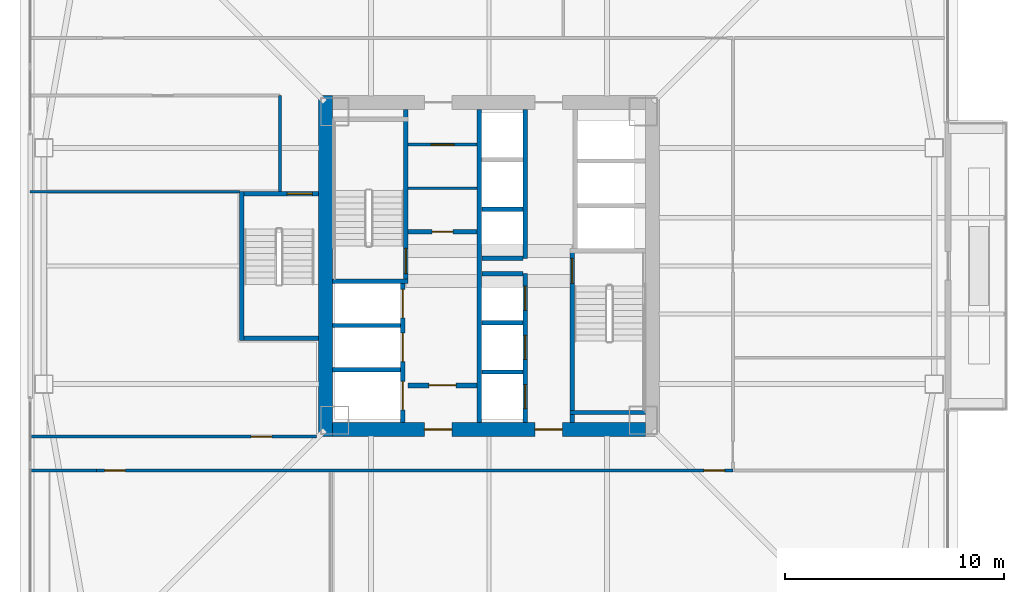
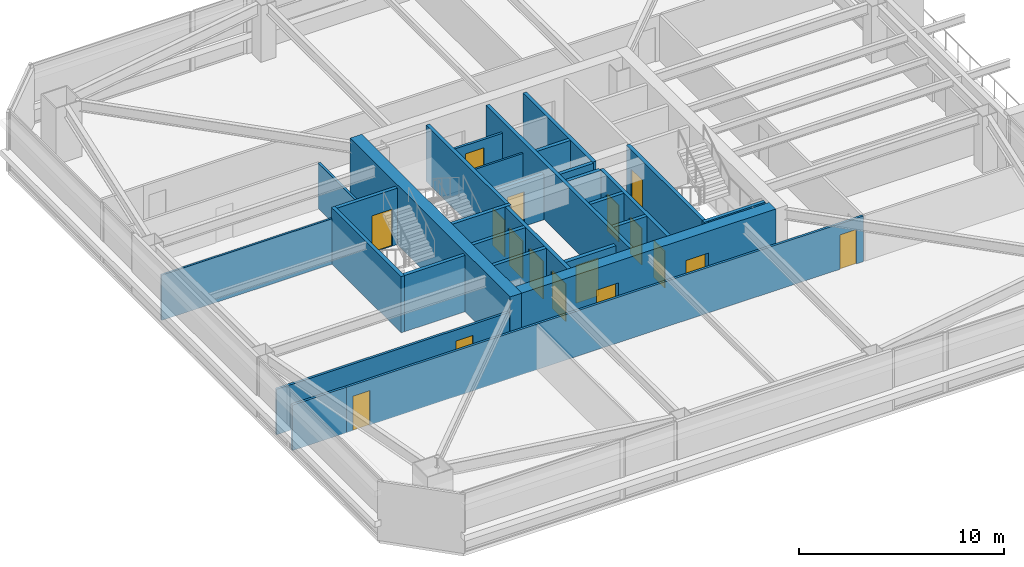
# One storey, part 35 of 46: 29 walls, 17 doors, 17 openings.
"""IFC4 building model written with IfcOpenShell, lengths in metres."""

from ifc_helpers import new_model, si_unit, direction, frame, frame_2d, origin, place, context, subcontext, project, spatial, rectangle, extrude, material, layer, layer_set, type_object, element, fill, save


model = new_model("IFC4")

# Units and contexts
model_context = context("Model", 3, precision=1e-05, world=origin(), true_north=direction((0.0, 1.0)))
body_context = subcontext(model_context, "Body", "Model", "MODEL_VIEW")
ifc_project = project(units=[si_unit("LENGTHUNIT", "METRE"), si_unit("AREAUNIT", "SQUARE_METRE"), si_unit("VOLUMEUNIT", "CUBIC_METRE"), si_unit("PLANEANGLEUNIT", "RADIAN"), si_unit("MASSUNIT", "GRAM", prefix="KILO")], contexts=[model_context])

# Site, building, storey
site_placement = place(None, origin())
site = spatial("IfcSite", under=ifc_project, at=site_placement, CompositionType="ELEMENT")
building_placement = place(site_placement, origin())
building = spatial("IfcBuilding", under=site, at=building_placement, Name="Tashvorn Skyway Center", CompositionType="ELEMENT")
storey_placement = place(building_placement, frame((0.0, 0.0, 99.14990234375)))
storey = spatial("IfcBuildingStorey", under=building, at=storey_placement, Name="L26", CompositionType="ELEMENT", Elevation=99.14990234375)

# Wall
ifc_material_1 = material(Name="Concrete C60/75", Category="concrete")
ifc_layer_1 = layer(ifc_material_1, 0.64990234375)
ifc_layer_set_1 = layer_set([ifc_layer_1], Name="Concrete C60/75")
wall_type_1 = type_object("IfcWallType", Name="WALL-CORE-650", PredefinedType="SHEAR", material=ifc_layer_set_1)
wall_1_placement = place(storey_placement, frame((34.52490234375, 24.199951171875, 0.0), z_axis=(0.0, 0.0, 1.0), x_axis=(0.0, 1.0, 0.0)))
element("IfcWall", 1, at=wall_1_placement, inside=storey, type_object=wall_type_1, Name="Tower 1 L26 West Core Shear Wall", PredefinedType="SHEAR", context=body_context, shape_type="SweptSolid", body=[
    extrude(rectangle(XDim=15.60009765625, YDim=0.64990234375, at=frame_2d((7.800048828125, 0.0))), origin(), (0.0, 0.0, 1.0), 3.550048828125),
])

# Wall, openings, doors
wall_2_placement = place(storey_placement, frame((49.14990234375, 24.52490234375, 0.0), z_axis=(0.0, 0.0, 1.0), x_axis=(-1.0, 0.0, 0.0)))
wall_2 = element("IfcWall", 2, at=wall_2_placement, inside=storey, type_object=wall_type_1, Name="Tower 1 L26 South Core Shear Wall", PredefinedType="SHEAR", context=body_context, shape_type="SweptSolid", body=[
    extrude(rectangle(XDim=14.2998046875, YDim=0.64990234375, at=frame_2d((7.14990234375, 0.0))), origin(), (0.0, 0.0, 1.0), 3.550048828125),
])
opening_1_placement = place(wall_2_placement, frame((8.85009765625, 0.0, 0.0)))
opening_1 = element("IfcOpeningElement", 3, at=opening_1_placement, cuts=wall_2, Name="Opening D-FFL-1250", PredefinedType="OPENING", context=body_context, shape_type="SweptSolid", body=[
    extrude(rectangle(XDim=1.25, YDim=2.25, at=frame_2d((0.625, 1.125))), frame((0.0, 0.3349609375, 0.0), z_axis=(0.0, -1.0, 0.0), x_axis=(1.0, 0.0, 0.0)), (0.0, 0.0, 1.0), 0.669921875),
])
opening_2_placement = place(wall_2_placement, frame((3.800048828125, 0.0, 0.0)))
opening_2 = element("IfcOpeningElement", 4, at=opening_2_placement, cuts=wall_2, Name="Opening D-FFL-1250", PredefinedType="OPENING", context=body_context, shape_type="SweptSolid", body=[
    extrude(rectangle(XDim=1.25, YDim=2.25, at=frame_2d((0.625, 1.125))), frame((0.0, 0.3349609375, 0.0), z_axis=(0.0, -1.0, 0.0), x_axis=(1.0, 0.0, 0.0)), (0.0, 0.0, 1.0), 0.669921875),
])
ifc_material_2 = material(Name="Hollow galvanized steel fire door assembly", Category="steel")
door_type_1 = type_object("IfcDoorType", Name="DOOR-FFL-1250", OperationType="NOTDEFINED", PredefinedType="DOOR", material=ifc_material_2)
door_1_placement = place(opening_1_placement, origin())
door_1 = element("IfcDoor", 5, at=door_1_placement, inside=storey, type_object=door_type_1, Name="Tower 1 L26 Core South Firefighting Exit Door", OperationType="SINGLE_SWING_LEFT", OverallHeight=2.25, OverallWidth=1.25, PredefinedType="DOOR", context=body_context, shape_type="SweptSolid", body=[
    extrude(rectangle(XDim=1.25, YDim=2.25, at=frame_2d((0.625, 1.125))), frame((0.0, 0.02490234375, 0.0), z_axis=(0.0, -1.0, 0.0), x_axis=(1.0, 0.0, 0.0)), (0.0, 0.0, 1.0), 0.050048828125),
])
fill(opening_1, door_1)
door_2_placement = place(opening_2_placement, origin())
door_2 = element("IfcDoor", 6, at=door_2_placement, inside=storey, type_object=door_type_1, Name="Tower 1 L26 Core South Lift Lobby Door", OperationType="SINGLE_SWING_RIGHT", OverallHeight=2.25, OverallWidth=1.25, PredefinedType="DOOR", context=body_context, shape_type="SweptSolid", body=[
    extrude(rectangle(XDim=1.25, YDim=2.25, at=frame_2d((0.625, 1.125))), frame((0.0, 0.02490234375, 0.0), z_axis=(0.0, -1.0, 0.0), x_axis=(1.0, 0.0, 0.0)), (0.0, 0.0, 1.0), 0.050048828125),
])
fill(opening_2, door_2)

# Wall, opening, door
ifc_material_3 = material(Name="Concrete C40/50", Category="concrete")
ifc_layer_2 = layer(ifc_material_3, 0.219970703125)
ifc_layer_set_2 = layer_set([ifc_layer_2], Name="Concrete C40/50")
wall_type_2 = type_object("IfcWallType", Name="WALL-FFL-220", PredefinedType="SOLIDWALL", material=ifc_layer_set_2)
wall_3_placement = place(storey_placement, frame((38.300048828125, 33.56005859375, 0.0), z_axis=(0.0, 0.0, 1.0), x_axis=(1.0, 0.0, 0.0)))
wall_3 = element("IfcWall", 7, at=wall_3_placement, inside=storey, type_object=wall_type_2, Name="Tower 1 L26 Firefighting Lobby North Wall", PredefinedType="SOLIDWALL", context=body_context, shape_type="SweptSolid", body=[
    extrude(rectangle(XDim=3.14990234375, YDim=0.219970703125, at=frame_2d((1.574951171875, 0.0))), origin(), (0.0, 0.0, 1.0), 2.703125),
])
opening_3_placement = place(wall_3_placement, frame((1.10009765625, 0.0, 0.0)))
opening_3 = element("IfcOpeningElement", 8, at=opening_3_placement, cuts=wall_3, Name="Opening D-RT-950", PredefinedType="OPENING", context=body_context, shape_type="SweptSolid", body=[
    extrude(rectangle(XDim=0.949951171875, YDim=2.050048828125, at=frame_2d((0.47509765625, 1.02490234375))), frame((0.0, 0.119873046875, 0.0), z_axis=(0.0, -1.0, 0.0), x_axis=(1.0, 0.0, 0.0)), (0.0, 0.0, 1.0), 0.239990234375),
])
door_type_2 = type_object("IfcDoorType", Name="DOOR-RATED-950", OperationType="NOTDEFINED", PredefinedType="DOOR", material=ifc_material_2)
door_3_placement = place(opening_3_placement, origin())
door_3 = element("IfcDoor", 9, at=door_3_placement, inside=storey, type_object=door_type_2, Name="Tower 1 L26 Core Linen Store Door", OperationType="SINGLE_SWING_LEFT", OverallHeight=2.050048828125, OverallWidth=0.949951171875, PredefinedType="DOOR", context=body_context, shape_type="SweptSolid", body=[
    extrude(rectangle(XDim=0.949951171875, YDim=2.050048828125, at=frame_2d((0.47509765625, 1.02490234375))), frame((0.0, 0.02490234375, 0.0), z_axis=(0.0, -1.0, 0.0), x_axis=(1.0, 0.0, 0.0)), (0.0, 0.0, 1.0), 0.050048828125),
])
fill(opening_3, door_3)

wall_4_placement = place(storey_placement, frame((38.300048828125, 26.5400390625, 0.0), z_axis=(0.0, 0.0, 1.0), x_axis=(1.0, 0.0, 0.0)))
wall_4 = element("IfcWall", 10, at=wall_4_placement, inside=storey, type_object=wall_type_2, Name="Tower 1 L26 Firefighting Lobby South Wall", PredefinedType="SOLIDWALL", context=body_context, shape_type="SweptSolid", body=[
    extrude(rectangle(XDim=3.14990234375, YDim=0.219970703125, at=frame_2d((1.574951171875, 0.0))), origin(), (0.0, 0.0, 1.0), 2.703125),
])
opening_4_placement = place(wall_4_placement, frame((0.949951171875, 0.0, 0.0)))
opening_4 = element("IfcOpeningElement", 11, at=opening_4_placement, cuts=wall_4, Name="Opening D-FFL-1250", PredefinedType="OPENING", context=body_context, shape_type="SweptSolid", body=[
    extrude(rectangle(XDim=1.25, YDim=2.25, at=frame_2d((0.625, 1.125))), frame((0.0, 0.119873046875, 0.0), z_axis=(0.0, -1.0, 0.0), x_axis=(1.0, 0.0, 0.0)), (0.0, 0.0, 1.0), 0.239990234375),
])
door_4_placement = place(opening_4_placement, origin())
door_4 = element("IfcDoor", 12, at=door_4_placement, inside=storey, type_object=door_type_1, Name="Tower 1 L26 Firefighting Lobby Egress Door", OperationType="SINGLE_SWING_LEFT", OverallHeight=2.25, OverallWidth=1.25, PredefinedType="DOOR", context=body_context, shape_type="SweptSolid", body=[
    extrude(rectangle(XDim=1.25, YDim=2.25, at=frame_2d((0.625, 1.125))), frame((0.0, 0.02490234375, 0.0), z_axis=(0.0, -1.0, 0.0), x_axis=(1.0, 0.0, 0.0)), (0.0, 0.0, 1.0), 0.050048828125),
])
fill(opening_4, door_4)

# Walls
ifc_material_4 = material(Name="Gypsum board on cold-formed steel stud framing", Category="steel")
ifc_layer_3 = layer(ifc_material_4, 0.110107421875)
ifc_layer_set_3 = layer_set([ifc_layer_3], Name="Gypsum board on cold-formed steel stud framing")
wall_type_3 = type_object("IfcWallType", Name="WALL-PART-110", PredefinedType="PARTITIONING", material=ifc_layer_set_3)
wall_5_placement = place(storey_placement, frame((30.60009765625, 35.39990234375, 0.0), z_axis=(0.0, 0.0, 1.0), x_axis=(-1.0, 0.0, 0.0)))
element("IfcWall", 13, at=wall_5_placement, inside=storey, type_object=wall_type_3, Name="Tower 1 L26 West Suite Partition 1", PredefinedType="PARTITIONING", context=body_context, shape_type="SweptSolid", body=[
    extrude(rectangle(XDim=9.580078125, YDim=0.110107421875, at=frame_2d((4.7900390625, 0.0))), origin(), (0.0, 0.0, 1.0), 2.703125),
])
ifc_layer_4 = layer(ifc_material_4, 0.135009765625)
ifc_layer_set_4 = layer_set([ifc_layer_4], Name="Gypsum board on cold-formed steel stud framing")
wall_type_4 = type_object("IfcWallType", Name="WALL-PART-135", PredefinedType="PARTITIONING", material=ifc_layer_set_4)
wall_6_placement = place(storey_placement, frame((32.449951171875, 35.39990234375, 0.0), z_axis=(0.0, 0.0, 1.0), x_axis=(0.0, 1.0, 0.0)))
element("IfcWall", 14, at=wall_6_placement, inside=storey, type_object=wall_type_4, Name="Tower 1 L26 Stair 3 Access Corridor Wall", PredefinedType="PARTITIONING", context=body_context, shape_type="SweptSolid", body=[
    extrude(rectangle(XDim=4.400146484375, YDim=0.135009765625, at=frame_2d((2.2001953125, 0.0))), origin(), (0.0, 0.0, 1.0), 2.703125),
])

# Wall, openings, doors
wall_7_placement = place(storey_placement, frame((53.14990234375, 22.64990234375, 0.0), z_axis=(0.0, 0.0, 1.0), x_axis=(-1.0, 0.0, 0.0)))
wall_7 = element("IfcWall", 15, at=wall_7_placement, inside=storey, type_object=wall_type_4, Name="Tower 1 L26 South Suite Wall", PredefinedType="PARTITIONING", context=body_context, shape_type="SweptSolid", body=[
    extrude(rectangle(XDim=29.099853515625, YDim=0.135009765625, at=frame_2d((14.5498046875, 0.0))), origin(), (0.0, 0.0, 1.0), 2.703125),
])
opening_5_placement = place(wall_7_placement, frame((27.77001953125, 0.0, 0.0)))
opening_5 = element("IfcOpeningElement", 16, at=opening_5_placement, cuts=wall_7, Name="Opening D-INT-950", PredefinedType="OPENING", context=body_context, shape_type="SweptSolid", body=[
    extrude(rectangle(XDim=0.949951171875, YDim=2.050048828125, at=frame_2d((0.47509765625, 1.02490234375))), frame((0.0, 0.077392578125, 0.0), z_axis=(0.0, -1.0, 0.0), x_axis=(1.0, 0.0, 0.0)), (0.0, 0.0, 1.0), 0.155029296875),
])
opening_6_placement = place(wall_7_placement, frame((0.3798828125, 0.0, 0.0)))
opening_6 = element("IfcOpeningElement", 17, at=opening_6_placement, cuts=wall_7, Name="Opening D-INT-950", PredefinedType="OPENING", context=body_context, shape_type="SweptSolid", body=[
    extrude(rectangle(XDim=0.949951171875, YDim=2.050048828125, at=frame_2d((0.47509765625, 1.02490234375))), frame((0.0, 0.077392578125, 0.0), z_axis=(0.0, -1.0, 0.0), x_axis=(1.0, 0.0, 0.0)), (0.0, 0.0, 1.0), 0.155029296875),
])
ifc_material_5 = material(Name="Solid-core architectural oak veneer door")
door_type_3 = type_object("IfcDoorType", Name="DOOR-INT-950", OperationType="NOTDEFINED", PredefinedType="DOOR", material=ifc_material_5)
door_5_placement = place(opening_5_placement, origin())
door_5 = element("IfcDoor", 18, at=door_5_placement, inside=storey, type_object=door_type_3, Name="Tower 1 L26 Wellness Clinic Door", OperationType="SINGLE_SWING_LEFT", OverallHeight=2.050048828125, OverallWidth=0.949951171875, PredefinedType="DOOR", context=body_context, shape_type="SweptSolid", body=[
    extrude(rectangle(XDim=0.949951171875, YDim=2.050048828125, at=frame_2d((0.47509765625, 1.02490234375))), frame((0.0, 0.02490234375, 0.0), z_axis=(0.0, -1.0, 0.0), x_axis=(1.0, 0.0, 0.0)), (0.0, 0.0, 1.0), 0.050048828125),
])
fill(opening_5, door_5)
door_6_placement = place(opening_6_placement, origin())
door_6 = element("IfcDoor", 19, at=door_6_placement, inside=storey, type_object=door_type_3, Name="Tower 1 L26 Security Control Room Door", OperationType="SINGLE_SWING_RIGHT", OverallHeight=2.050048828125, OverallWidth=0.949951171875, PredefinedType="DOOR", context=body_context, shape_type="SweptSolid", body=[
    extrude(rectangle(XDim=0.949951171875, YDim=2.050048828125, at=frame_2d((0.47509765625, 1.02490234375))), frame((0.0, 0.02490234375, 0.0), z_axis=(0.0, -1.0, 0.0), x_axis=(1.0, 0.0, 0.0)), (0.0, 0.0, 1.0), 0.050048828125),
])
fill(opening_6, door_6)

# Wall
wall_8_placement = place(storey_placement, frame((21.02001953125, 22.64990234375, 0.0), z_axis=(0.0, 0.0, 1.0), x_axis=(1.0, 0.0, 0.0)))
element("IfcWall", 20, at=wall_8_placement, inside=storey, type_object=wall_type_4, Name="Tower 1 L26 South-West Suite North Wall", PredefinedType="PARTITIONING", context=body_context, shape_type="SweptSolid", body=[
    extrude(rectangle(XDim=3.030029296875, YDim=0.135009765625, at=frame_2d((1.51513671875, 0.0))), origin(), (0.0, 0.0, 1.0), 2.703125),
])

# Wall, opening, door
wall_9_placement = place(storey_placement, frame((21.02001953125, 24.199951171875, 0.0), z_axis=(0.0, 0.0, 1.0), x_axis=(1.0, 0.0, 0.0)))
wall_9 = element("IfcWall", 21, at=wall_9_placement, inside=storey, type_object=wall_type_4, Name="Tower 1 L26 West Suite South Wall", PredefinedType="PARTITIONING", context=body_context, shape_type="SweptSolid", body=[
    extrude(rectangle(XDim=13.10009765625, YDim=0.135009765625, at=frame_2d((6.550048828125, 0.0))), origin(), (0.0, 0.0, 1.0), 2.703125),
])
opening_7_placement = place(wall_9_placement, frame((10.10498046875, 0.0, 0.0)))
opening_7 = element("IfcOpeningElement", 22, at=opening_7_placement, cuts=wall_9, Name="Opening D-INT-950", PredefinedType="OPENING", context=body_context, shape_type="SweptSolid", body=[
    extrude(rectangle(XDim=0.949951171875, YDim=2.050048828125, at=frame_2d((0.47509765625, 1.02490234375))), frame((0.0, 0.077392578125, 0.0), z_axis=(0.0, -1.0, 0.0), x_axis=(1.0, 0.0, 0.0)), (0.0, 0.0, 1.0), 0.155029296875),
])
door_7_placement = place(opening_7_placement, origin())
door_7 = element("IfcDoor", 23, at=door_7_placement, inside=storey, type_object=door_type_3, Name="Tower 1 L26 Public Restroom Door", OperationType="SINGLE_SWING_RIGHT", OverallHeight=2.050048828125, OverallWidth=0.949951171875, PredefinedType="DOOR", context=body_context, shape_type="SweptSolid", body=[
    extrude(rectangle(XDim=0.949951171875, YDim=2.050048828125, at=frame_2d((0.47509765625, 1.02490234375))), frame((0.0, 0.02490234375, 0.0), z_axis=(0.0, -1.0, 0.0), x_axis=(1.0, 0.0, 0.0)), (0.0, 0.0, 1.0), 0.050048828125),
])
fill(opening_7, door_7)

# Wall
ifc_layer_5 = layer(ifc_material_4, 0.110107421875)
ifc_layer_set_5 = layer_set([ifc_layer_5], Name="Gypsum board on cold-formed steel stud framing")
wall_type_5 = type_object("IfcWallType", Name="WALL-RATED-110", PredefinedType="PARTITIONING", material=ifc_layer_set_5)
wall_10_placement = place(storey_placement, frame((38.300048828125, 35.550048828125, 0.0), z_axis=(0.0, 0.0, 1.0), x_axis=(1.0, 0.0, 0.0)))
element("IfcWall", 24, at=wall_10_placement, inside=storey, type_object=wall_type_5, Name="Tower 1 L26 Core Transverse Wall", PredefinedType="PARTITIONING", context=body_context, shape_type="SweptSolid", body=[
    extrude(rectangle(XDim=3.14990234375, YDim=0.110107421875, at=frame_2d((1.574951171875, 0.0))), origin(), (0.0, 0.0, 1.0), 2.703125),
])

# Wall, opening, door
ifc_layer_6 = layer(ifc_material_4, 0.135009765625)
ifc_layer_set_6 = layer_set([ifc_layer_6], Name="Gypsum board on cold-formed steel stud framing")
wall_type_6 = type_object("IfcWallType", Name="WALL-RATED-135", PredefinedType="PARTITIONING", material=ifc_layer_set_6)
wall_11_placement = place(storey_placement, frame((38.300048828125, 37.550048828125, 0.0), z_axis=(0.0, 0.0, 1.0), x_axis=(1.0, 0.0, 0.0)))
wall_11 = element("IfcWall", 25, at=wall_11_placement, inside=storey, type_object=wall_type_6, Name="Tower 1 L26 Core Service Lobby Wall", PredefinedType="PARTITIONING", context=body_context, shape_type="SweptSolid", body=[
    extrude(rectangle(XDim=3.14990234375, YDim=0.135009765625, at=frame_2d((1.574951171875, 0.0))), origin(), (0.0, 0.0, 1.0), 2.703125),
])
opening_8_placement = place(wall_11_placement, frame((1.050048828125, 0.0, 0.0)))
opening_8 = element("IfcOpeningElement", 26, at=opening_8_placement, cuts=wall_11, Name="Opening D-RT-1050", PredefinedType="OPENING", context=body_context, shape_type="SweptSolid", body=[
    extrude(rectangle(XDim=1.050048828125, YDim=2.199951171875, at=frame_2d((0.52490234375, 1.10009765625))), frame((0.0, 0.077392578125, 0.0), z_axis=(0.0, -1.0, 0.0), x_axis=(1.0, 0.0, 0.0)), (0.0, 0.0, 1.0), 0.155029296875),
])
door_type_4 = type_object("IfcDoorType", Name="DOOR-RATED-1050", OperationType="NOTDEFINED", PredefinedType="DOOR", material=ifc_material_2)
door_8_placement = place(opening_8_placement, origin())
door_8 = element("IfcDoor", 27, at=door_8_placement, inside=storey, type_object=door_type_4, Name="Tower 1 L26 Core Accessible WC Door", OperationType="SINGLE_SWING_RIGHT", OverallHeight=2.199951171875, OverallWidth=1.050048828125, PredefinedType="DOOR", context=body_context, shape_type="SweptSolid", body=[
    extrude(rectangle(XDim=1.050048828125, YDim=2.199951171875, at=frame_2d((0.52490234375, 1.10009765625))), frame((0.0, 0.02490234375, 0.0), z_axis=(0.0, -1.0, 0.0), x_axis=(1.0, 0.0, 0.0)), (0.0, 0.0, 1.0), 0.050048828125),
])
fill(opening_8, door_8)

# Walls
ifc_layer_7 = layer(ifc_material_3, 0.199951171875)
ifc_layer_set_7 = layer_set([ifc_layer_7], Name="Concrete C40/50")
wall_type_7 = type_object("IfcWallType", Name="WALL-SHAFT-200", PredefinedType="SOLIDWALL", material=ifc_layer_set_7)
for number, where, z_axis, x_axis, name in (
    (28, (34.85009765625, 27.25, 0.0), (0.0, 0.0, 1.0), (1.0, 0.0, 0.0), "Tower 1 L26 FSAE Shaft Divider"),
    (29, (34.85009765625, 29.280029296875, 0.0), (0.0, 0.0, 1.0), (1.0, 0.0, 0.0), "Tower 1 L26 FSAE Shaft Divider"),
):
    element("IfcWall", number, at=place(storey_placement, frame(where, z_axis=z_axis, x_axis=x_axis)), inside=storey, type_object=wall_type_7, Name=name, PredefinedType="SOLIDWALL", context=body_context, shape_type="SweptSolid", body=[
        extrude(rectangle(XDim=3.099853515625, YDim=0.199951171875, at=frame_2d((1.5498046875, 0.0))), origin(), (0.0, 0.0, 1.0), 3.35009765625),
    ])

# Wall, openings, doors
wall_12_placement = place(storey_placement, frame((43.64990234375, 24.85009765625, 0.0), z_axis=(0.0, 0.0, 1.0), x_axis=(0.0, 1.0, 0.0)))
wall_12 = element("IfcWall", 30, at=wall_12_placement, inside=storey, type_object=wall_type_7, Name="Tower 1 L26 Low-Rise Core Wall", PredefinedType="SOLIDWALL", context=body_context, shape_type="SweptSolid", body=[
    extrude(rectangle(XDim=6.7998046875, YDim=0.199951171875, at=frame_2d((3.39990234375, 0.0))), origin(), (0.0, 0.0, 1.0), 3.35009765625),
])
opening_9_placement = place(wall_12_placement, frame((0.625, 0.0, 0.0)))
opening_9 = element("IfcOpeningElement", 31, at=opening_9_placement, cuts=wall_12, Name="Opening LD-LR-T1-1-L26", PredefinedType="OPENING", context=body_context, shape_type="SweptSolid", body=[
    extrude(rectangle(XDim=1.10009765625, YDim=2.199951171875, at=frame_2d((0.550048828125, 1.10009765625))), frame((0.0, 0.10986328125, 0.0), z_axis=(0.0, -1.0, 0.0), x_axis=(1.0, 0.0, 0.0)), (0.0, 0.0, 1.0), 0.219970703125),
])
opening_10_placement = place(wall_12_placement, frame((2.875, 0.0, 0.0)))
opening_10 = element("IfcOpeningElement", 32, at=opening_10_placement, cuts=wall_12, Name="Opening LD-LR-T1-2-L26", PredefinedType="OPENING", context=body_context, shape_type="SweptSolid", body=[
    extrude(rectangle(XDim=1.10009765625, YDim=2.199951171875, at=frame_2d((0.550048828125, 1.10009765625))), frame((0.0, 0.10986328125, 0.0), z_axis=(0.0, -1.0, 0.0), x_axis=(1.0, 0.0, 0.0)), (0.0, 0.0, 1.0), 0.219970703125),
])
opening_11_placement = place(wall_12_placement, frame((5.125, 0.0, 0.0)))
opening_11 = element("IfcOpeningElement", 33, at=opening_11_placement, cuts=wall_12, Name="Opening LD-LR-T1-3-L26", PredefinedType="OPENING", context=body_context, shape_type="SweptSolid", body=[
    extrude(rectangle(XDim=1.10009765625, YDim=2.199951171875, at=frame_2d((0.550048828125, 1.10009765625))), frame((0.0, 0.10986328125, 0.0), z_axis=(0.0, -1.0, 0.0), x_axis=(1.0, 0.0, 0.0)), (0.0, 0.0, 1.0), 0.219970703125),
])
ifc_material_6 = material(Name="Stainless steel landing door", Category="steel")
door_type_5 = type_object("IfcDoorType", Name="DOOR-LIFT-1100", OperationType="SLIDING_TO_LEFT", PredefinedType="DOOR", material=ifc_material_6)
door_9_placement = place(opening_9_placement, origin())
door_9 = element("IfcDoor", 34, at=door_9_placement, inside=storey, type_object=door_type_5, Name="Lift LR-T1-1 L26 Landing Door", OperationType="SLIDING_TO_LEFT", OverallHeight=2.199951171875, OverallWidth=1.10009765625, PredefinedType="DOOR", context=body_context, shape_type="SweptSolid", body=[
    extrude(rectangle(XDim=1.10009765625, YDim=2.199951171875, at=frame_2d((0.550048828125, 1.10009765625))), frame((0.0, 0.02490234375, 0.0), z_axis=(0.0, -1.0, 0.0), x_axis=(1.0, 0.0, 0.0)), (0.0, 0.0, 1.0), 0.050048828125),
])
fill(opening_9, door_9)
door_10_placement = place(opening_10_placement, origin())
door_10 = element("IfcDoor", 35, at=door_10_placement, inside=storey, type_object=door_type_5, Name="Lift LR-T1-2 L26 Landing Door", OperationType="SLIDING_TO_LEFT", OverallHeight=2.199951171875, OverallWidth=1.10009765625, PredefinedType="DOOR", context=body_context, shape_type="SweptSolid", body=[
    extrude(rectangle(XDim=1.10009765625, YDim=2.199951171875, at=frame_2d((0.550048828125, 1.10009765625))), frame((0.0, 0.02490234375, 0.0), z_axis=(0.0, -1.0, 0.0), x_axis=(1.0, 0.0, 0.0)), (0.0, 0.0, 1.0), 0.050048828125),
])
fill(opening_10, door_10)
door_11_placement = place(opening_11_placement, origin())
door_11 = element("IfcDoor", 36, at=door_11_placement, inside=storey, type_object=door_type_5, Name="Lift LR-T1-3 L26 Landing Door", OperationType="SLIDING_TO_LEFT", OverallHeight=2.199951171875, OverallWidth=1.10009765625, PredefinedType="DOOR", context=body_context, shape_type="SweptSolid", body=[
    extrude(rectangle(XDim=1.10009765625, YDim=2.199951171875, at=frame_2d((0.550048828125, 1.10009765625))), frame((0.0, 0.02490234375, 0.0), z_axis=(0.0, -1.0, 0.0), x_axis=(1.0, 0.0, 0.0)), (0.0, 0.0, 1.0), 0.050048828125),
])
fill(opening_11, door_11)

# Walls
for number, where, z_axis, x_axis, name in (
    (37, (41.669921875, 27.14990234375, 0.0), (0.0, 0.0, 1.0), (1.0, 0.0, 0.0), "Tower 1 L26 Low-Rise Shaft Divider"),
    (38, (41.669921875, 29.39990234375, 0.0), (0.0, 0.0, 1.0), (1.0, 0.0, 0.0), "Tower 1 L26 Low-Rise Shaft Divider"),
    (39, (41.669921875, 31.64990234375, 0.0), (0.0, 0.0, 1.0), (1.0, 0.0, 0.0), "Tower 1 L26 Low-Rise Shaft Divider"),
):
    element("IfcWall", number, at=place(storey_placement, frame(where, z_axis=z_axis, x_axis=x_axis)), inside=storey, type_object=wall_type_7, Name=name, PredefinedType="SOLIDWALL", context=body_context, shape_type="SweptSolid", body=[
        extrude(rectangle(XDim=1.880126953125, YDim=0.199951171875, at=frame_2d((0.93994140625, 0.0))), origin(), (0.0, 0.0, 1.0), 3.35009765625),
    ])
wall_13_placement = place(storey_placement, frame((43.64990234375, 32.35009765625, 0.0), z_axis=(0.0, 0.0, 1.0), x_axis=(0.0, 1.0, 0.0)))
element("IfcWall", 40, at=wall_13_placement, inside=storey, type_object=wall_type_7, Name="Tower 1 L26 Mid-Rise Core Wall", PredefinedType="SOLIDWALL", context=body_context, shape_type="SweptSolid", body=[
    extrude(rectangle(XDim=6.7998046875, YDim=0.199951171875, at=frame_2d((3.39990234375, 0.0))), origin(), (0.0, 0.0, 1.0), 3.35009765625),
])
for number, where, z_axis, x_axis, name in (
    (41, (41.669921875, 32.35009765625, 0.0), (0.0, 0.0, 1.0), (1.0, 0.0, 0.0), "Tower 1 L26 Mid-Rise Shaft Divider"),
    (42, (41.669921875, 34.60009765625, 0.0), (0.0, 0.0, 1.0), (1.0, 0.0, 0.0), "Tower 1 L26 Mid-Rise Shaft Divider"),
):
    element("IfcWall", number, at=place(storey_placement, frame(where, z_axis=z_axis, x_axis=x_axis)), inside=storey, type_object=wall_type_7, Name=name, PredefinedType="SOLIDWALL", context=body_context, shape_type="SweptSolid", body=[
        extrude(rectangle(XDim=1.880126953125, YDim=0.199951171875, at=frame_2d((0.93994140625, 0.0))), origin(), (0.0, 0.0, 1.0), 3.35009765625),
    ])

# Wall, opening, door
ifc_layer_8 = layer(ifc_material_3, 0.199951171875)
ifc_layer_set_8 = layer_set([ifc_layer_8], Name="Concrete C40/50")
wall_type_8 = type_object("IfcWallType", Name="WALL-STSHF-200", PredefinedType="SHEAR", material=ifc_layer_set_8)
wall_14_placement = place(storey_placement, frame((38.199951171875, 31.199951171875, 0.0), z_axis=(0.0, 0.0, 1.0), x_axis=(0.0, 1.0, 0.0)))
wall_14 = element("IfcWall", 43, at=wall_14_placement, inside=storey, type_object=wall_type_8, Name="Tower 1 L26 Stair 1 Enclosure Wall", PredefinedType="SHEAR", context=body_context, shape_type="SweptSolid", body=[
    extrude(rectangle(XDim=7.949951171875, YDim=0.199951171875, at=frame_2d((3.97509765625, 0.0))), origin(), (0.0, 0.0, 1.0), 3.35009765625),
])
opening_12_placement = place(wall_14_placement, frame((0.449951171875, 0.0, 0.0)))
opening_12 = element("IfcOpeningElement", 44, at=opening_12_placement, cuts=wall_14, Name="Opening D-ST-1150", PredefinedType="OPENING", context=body_context, shape_type="SweptSolid", body=[
    extrude(rectangle(XDim=1.14990234375, YDim=2.199951171875, at=frame_2d((0.574951171875, 1.10009765625))), frame((0.0, 0.10986328125, 0.0), z_axis=(0.0, -1.0, 0.0), x_axis=(1.0, 0.0, 0.0)), (0.0, 0.0, 1.0), 0.219970703125),
])
door_type_6 = type_object("IfcDoorType", Name="DOOR-STAIR-1150", OperationType="NOTDEFINED", PredefinedType="DOOR", material=ifc_material_2)
door_12_placement = place(opening_12_placement, origin())
door_12 = element("IfcDoor", 45, at=door_12_placement, inside=storey, type_object=door_type_6, Name="Tower 1 L26 Exit Stair 1 Door", OperationType="SINGLE_SWING_RIGHT", OverallHeight=2.199951171875, OverallWidth=1.14990234375, PredefinedType="DOOR", context=body_context, shape_type="SweptSolid", body=[
    extrude(rectangle(XDim=1.14990234375, YDim=2.199951171875, at=frame_2d((0.574951171875, 1.10009765625))), frame((0.0, 0.02490234375, 0.0), z_axis=(0.0, -1.0, 0.0), x_axis=(1.0, 0.0, 0.0)), (0.0, 0.0, 1.0), 0.050048828125),
])
fill(opening_12, door_12)

# Wall
wall_15_placement = place(storey_placement, frame((34.85009765625, 31.300048828125, 0.0), z_axis=(0.0, 0.0, 1.0), x_axis=(1.0, 0.0, 0.0)))
element("IfcWall", 46, at=wall_15_placement, inside=storey, type_object=wall_type_8, Name="Tower 1 L26 Stair 1 South Wall", PredefinedType="SHEAR", context=body_context, shape_type="SweptSolid", body=[
    extrude(rectangle(XDim=3.449951171875, YDim=0.199951171875, at=frame_2d((1.72509765625, 0.0))), origin(), (0.0, 0.0, 1.0), 3.35009765625),
])

# Wall, opening, door
wall_16_placement = place(storey_placement, frame((45.800048828125, 32.800048828125, 0.0), z_axis=(0.0, 0.0, 1.0), x_axis=(0.0, -1.0, 0.0)))
wall_16 = element("IfcWall", 47, at=wall_16_placement, inside=storey, type_object=wall_type_8, Name="Tower 1 L26 Stair 2 Enclosure Wall", PredefinedType="SHEAR", context=body_context, shape_type="SweptSolid", body=[
    extrude(rectangle(XDim=7.949951171875, YDim=0.199951171875, at=frame_2d((3.97509765625, 0.0))), origin(), (0.0, 0.0, 1.0), 3.35009765625),
])
opening_13_placement = place(wall_16_placement, frame((0.449951171875, 0.0, 0.0)))
opening_13 = element("IfcOpeningElement", 48, at=opening_13_placement, cuts=wall_16, Name="Opening D-ST-1150", PredefinedType="OPENING", context=body_context, shape_type="SweptSolid", body=[
    extrude(rectangle(XDim=1.14990234375, YDim=2.199951171875, at=frame_2d((0.574951171875, 1.10009765625))), frame((0.0, 0.10986328125, 0.0), z_axis=(0.0, -1.0, 0.0), x_axis=(1.0, 0.0, 0.0)), (0.0, 0.0, 1.0), 0.219970703125),
])
door_13_placement = place(opening_13_placement, origin())
door_13 = element("IfcDoor", 49, at=door_13_placement, inside=storey, type_object=door_type_6, Name="Tower 1 L26 Exit Stair 2 Door", OperationType="SINGLE_SWING_RIGHT", OverallHeight=2.199951171875, OverallWidth=1.14990234375, PredefinedType="DOOR", context=body_context, shape_type="SweptSolid", body=[
    extrude(rectangle(XDim=1.14990234375, YDim=2.199951171875, at=frame_2d((0.574951171875, 1.10009765625))), frame((0.0, 0.02490234375, 0.0), z_axis=(0.0, -1.0, 0.0), x_axis=(1.0, 0.0, 0.0)), (0.0, 0.0, 1.0), 0.050048828125),
])
fill(opening_13, door_13)

# Walls
wall_17_placement = place(storey_placement, frame((45.699951171875, 25.300048828125, 0.0), z_axis=(0.0, 0.0, 1.0), x_axis=(1.0, 0.0, 0.0)))
element("IfcWall", 50, at=wall_17_placement, inside=storey, type_object=wall_type_8, Name="Tower 1 L26 Stair 2 South Wall", PredefinedType="SHEAR", context=body_context, shape_type="SweptSolid", body=[
    extrude(rectangle(XDim=3.449951171875, YDim=0.199951171875, at=frame_2d((1.72509765625, 0.0))), origin(), (0.0, 0.0, 1.0), 3.35009765625),
])
wall_18_placement = place(storey_placement, frame((41.56005859375, 24.85009765625, 0.0), z_axis=(0.0, 0.0, 1.0), x_axis=(0.0, 1.0, 0.0)))
element("IfcWall", 51, at=wall_18_placement, inside=storey, type_object=wall_type_8, Name="Tower 1 L26 Firefighting Lobby East Smoke Barrier", PredefinedType="SHEAR", context=body_context, shape_type="SweptSolid", body=[
    extrude(rectangle(XDim=14.2998046875, YDim=0.199951171875, at=frame_2d((7.14990234375, 0.0))), origin(), (0.0, 0.0, 1.0), 3.35009765625),
])

# Wall, openings, doors
wall_19_placement = place(storey_placement, frame((38.050048828125, 24.85009765625, 0.0), z_axis=(0.0, 0.0, 1.0), x_axis=(0.0, 1.0, 0.0)))
wall_19 = element("IfcWall", 52, at=wall_19_placement, inside=storey, type_object=wall_type_8, Name="Tower 1 L26 FSAE and Goods Shaft Front Wall", PredefinedType="SHEAR", context=body_context, shape_type="SweptSolid", body=[
    extrude(rectangle(XDim=6.349853515625, YDim=0.199951171875, at=frame_2d((3.1748046875, 0.0))), origin(), (0.0, 0.0, 1.0), 3.35009765625),
])
opening_14_placement = place(wall_19_placement, frame((4.77490234375, 0.0, 0.0)))
opening_14 = element("IfcOpeningElement", 53, at=opening_14_placement, cuts=wall_19, Name="Opening LD-FF-T1-1-L26", PredefinedType="OPENING", context=body_context, shape_type="SweptSolid", body=[
    extrude(rectangle(XDim=1.300048828125, YDim=2.25, at=frame_2d((0.64990234375, 1.125))), frame((0.0, 0.10986328125, 0.0), z_axis=(0.0, -1.0, 0.0), x_axis=(1.0, 0.0, 0.0)), (0.0, 0.0, 1.0), 0.219970703125),
])
opening_15_placement = place(wall_19_placement, frame((2.77490234375, 0.0, 0.0)))
opening_15 = element("IfcOpeningElement", 54, at=opening_15_placement, cuts=wall_19, Name="Opening LD-FF-T1-2-L26", PredefinedType="OPENING", context=body_context, shape_type="SweptSolid", body=[
    extrude(rectangle(XDim=1.300048828125, YDim=2.25, at=frame_2d((0.64990234375, 1.125))), frame((0.0, 0.10986328125, 0.0), z_axis=(0.0, -1.0, 0.0), x_axis=(1.0, 0.0, 0.0)), (0.0, 0.0, 1.0), 0.219970703125),
])
opening_16_placement = place(wall_19_placement, frame((0.574951171875, 0.0, 0.0)))
opening_16 = element("IfcOpeningElement", 55, at=opening_16_placement, cuts=wall_19, Name="Opening LD-GD-T1-1-L26", PredefinedType="OPENING", context=body_context, shape_type="SweptSolid", body=[
    extrude(rectangle(XDim=1.300048828125, YDim=2.25, at=frame_2d((0.64990234375, 1.125))), frame((0.0, 0.10986328125, 0.0), z_axis=(0.0, -1.0, 0.0), x_axis=(1.0, 0.0, 0.0)), (0.0, 0.0, 1.0), 0.219970703125),
])
ifc_material_7 = material(Name="Stainless steel heavy-duty landing door", Category="steel")
door_type_7 = type_object("IfcDoorType", Name="DOOR-LIFT-1300", OperationType="SLIDING_TO_LEFT", PredefinedType="DOOR", material=ifc_material_7)
door_14_placement = place(opening_14_placement, origin())
door_14 = element("IfcDoor", 56, at=door_14_placement, inside=storey, type_object=door_type_7, Name="Lift FF-T1-1 L26 Landing Door", OperationType="SLIDING_TO_LEFT", OverallHeight=2.25, OverallWidth=1.300048828125, PredefinedType="DOOR", context=body_context, shape_type="SweptSolid", body=[
    extrude(rectangle(XDim=1.300048828125, YDim=2.25, at=frame_2d((0.64990234375, 1.125))), frame((0.0, 0.02490234375, 0.0), z_axis=(0.0, -1.0, 0.0), x_axis=(1.0, 0.0, 0.0)), (0.0, 0.0, 1.0), 0.050048828125),
])
fill(opening_14, door_14)
door_15_placement = place(opening_15_placement, origin())
door_15 = element("IfcDoor", 57, at=door_15_placement, inside=storey, type_object=door_type_7, Name="Lift FF-T1-2 L26 Landing Door", OperationType="SLIDING_TO_LEFT", OverallHeight=2.25, OverallWidth=1.300048828125, PredefinedType="DOOR", context=body_context, shape_type="SweptSolid", body=[
    extrude(rectangle(XDim=1.300048828125, YDim=2.25, at=frame_2d((0.64990234375, 1.125))), frame((0.0, 0.02490234375, 0.0), z_axis=(0.0, -1.0, 0.0), x_axis=(1.0, 0.0, 0.0)), (0.0, 0.0, 1.0), 0.050048828125),
])
fill(opening_15, door_15)
door_16_placement = place(opening_16_placement, origin())
door_16 = element("IfcDoor", 58, at=door_16_placement, inside=storey, type_object=door_type_7, Name="Lift GD-T1-1 L26 Landing Door", OperationType="SLIDING_TO_LEFT", OverallHeight=2.25, OverallWidth=1.300048828125, PredefinedType="DOOR", context=body_context, shape_type="SweptSolid", body=[
    extrude(rectangle(XDim=1.300048828125, YDim=2.25, at=frame_2d((0.64990234375, 1.125))), frame((0.0, 0.02490234375, 0.0), z_axis=(0.0, -1.0, 0.0), x_axis=(1.0, 0.0, 0.0)), (0.0, 0.0, 1.0), 0.050048828125),
])
fill(opening_16, door_16)

# Wall
wall_20_placement = place(storey_placement, frame((30.699951171875, 28.60009765625, 0.0), z_axis=(0.0, 0.0, 1.0), x_axis=(0.0, 1.0, 0.0)))
element("IfcWall", 59, at=wall_20_placement, inside=storey, type_object=wall_type_8, Name="Tower 1 L26 Stair 3 Outer Wall", PredefinedType="SHEAR", context=body_context, shape_type="SweptSolid", body=[
    extrude(rectangle(XDim=6.7998046875, YDim=0.199951171875, at=frame_2d((3.39990234375, 0.0))), origin(), (0.0, 0.0, 1.0), 3.35009765625),
])

# Wall, opening, door
wall_21_placement = place(storey_placement, frame((34.199951171875, 35.300048828125, 0.0), z_axis=(0.0, 0.0, 1.0), x_axis=(-1.0, 0.0, 0.0)))
wall_21 = element("IfcWall", 60, at=wall_21_placement, inside=storey, type_object=wall_type_8, Name="Tower 1 L26 Stair 3 Enclosure Wall", PredefinedType="SHEAR", context=body_context, shape_type="SweptSolid", body=[
    extrude(rectangle(XDim=3.39990234375, YDim=0.199951171875, at=frame_2d((1.699951171875, 0.0))), origin(), (0.0, 0.0, 1.0), 3.35009765625),
])
opening_17_placement = place(wall_21_placement, frame((0.27490234375, 0.0, 0.0)))
opening_17 = element("IfcOpeningElement", 61, at=opening_17_placement, cuts=wall_21, Name="Opening D-ST-1150", PredefinedType="OPENING", context=body_context, shape_type="SweptSolid", body=[
    extrude(rectangle(XDim=1.14990234375, YDim=2.199951171875, at=frame_2d((0.574951171875, 1.10009765625))), frame((0.0, 0.10986328125, 0.0), z_axis=(0.0, -1.0, 0.0), x_axis=(1.0, 0.0, 0.0)), (0.0, 0.0, 1.0), 0.219970703125),
])
door_17_placement = place(opening_17_placement, origin())
door_17 = element("IfcDoor", 62, at=door_17_placement, inside=storey, type_object=door_type_6, Name="Tower 1 L26 Exit Stair 3 Door", OperationType="SINGLE_SWING_RIGHT", OverallHeight=2.199951171875, OverallWidth=1.14990234375, PredefinedType="DOOR", context=body_context, shape_type="SweptSolid", body=[
    extrude(rectangle(XDim=1.14990234375, YDim=2.199951171875, at=frame_2d((0.574951171875, 1.10009765625))), frame((0.0, 0.02490234375, 0.0), z_axis=(0.0, -1.0, 0.0), x_axis=(1.0, 0.0, 0.0)), (0.0, 0.0, 1.0), 0.050048828125),
])
fill(opening_17, door_17)

# Wall
wall_22_placement = place(storey_placement, frame((30.800048828125, 28.699951171875, 0.0), z_axis=(0.0, 0.0, 1.0), x_axis=(1.0, 0.0, 0.0)))
element("IfcWall", 63, at=wall_22_placement, inside=storey, type_object=wall_type_8, Name="Tower 1 L26 Stair 3 South Wall", PredefinedType="SHEAR", context=body_context, shape_type="SweptSolid", body=[
    extrude(rectangle(XDim=3.39990234375, YDim=0.199951171875, at=frame_2d((1.699951171875, 0.0))), origin(), (0.0, 0.0, 1.0), 3.35009765625),
])

save(model, "model.ifc")
